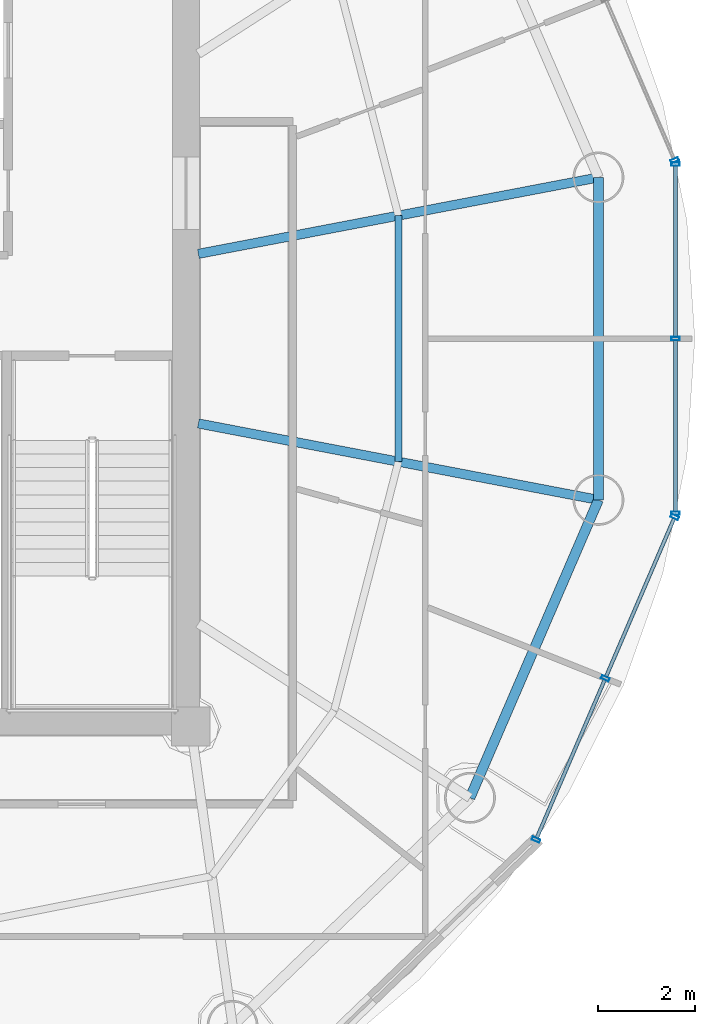
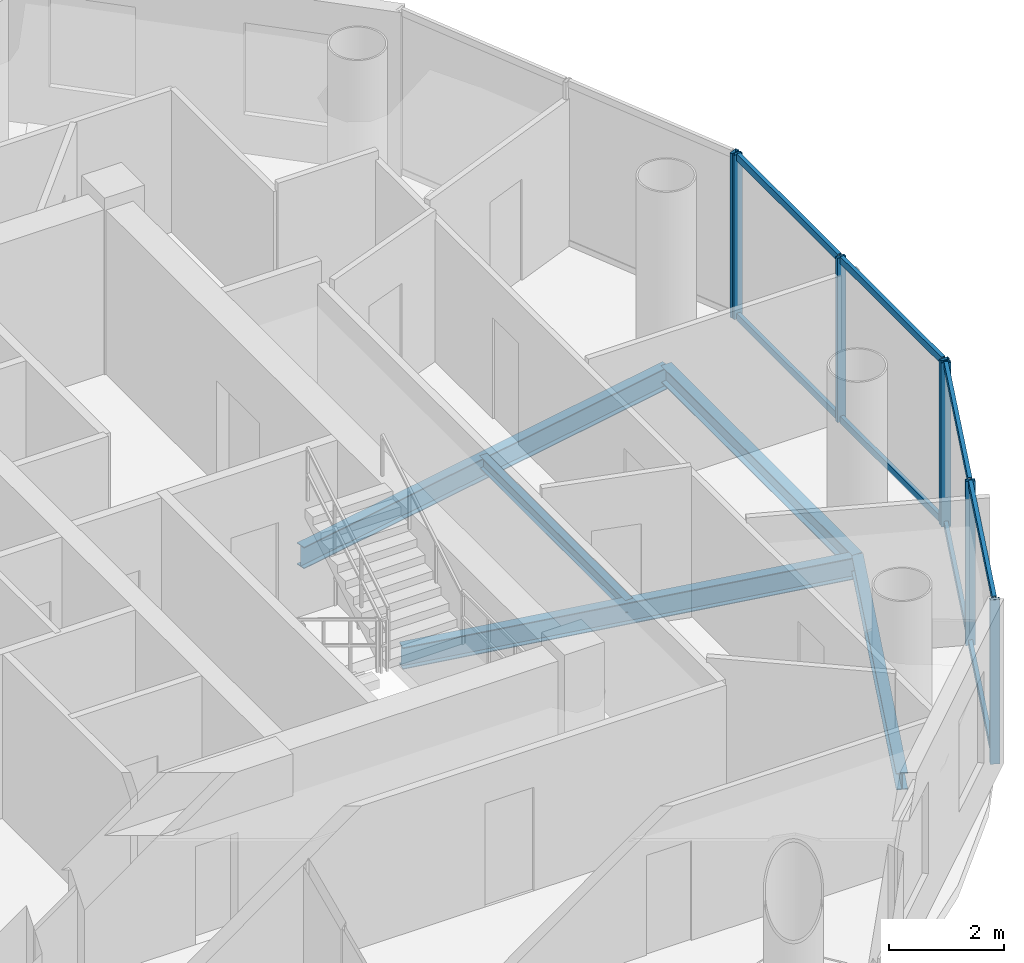
# One storey, part 9 of 21: 15 members, 5 beams, 3 elements without a shape of their own.
"""IFC4 building model written with IfcOpenShell, lengths in metres."""

import ifcopenshell
import ifcopenshell.guid

model = None  # the IFC model being written
_history = None  # IfcOwnerHistory: only IFC2X3 demands one
_inside = {}  # id of a spatial element -> (the spatial element, [elements in it])
_under = {}  # id of a project, library or spatial element -> (it, [spatial elements below it])
_declared = {}  # id of a project -> (the project, [libraries it declares])
_typed = {}  # id of a type object -> (the type object, [elements of that type])
_made_of = {}  # id of a material, layer set ... -> (it, [elements and type objects made of it])


def new_model(schema):
    """Start an empty IFC model of exactly this schema.

    Asked for "IFC4X3", IfcOpenShell would pick the latest addendum, in which some entities
    have other attributes; the version numbers below select the first issue.
    IFC2X3 requires an IfcOwnerHistory on every rooted entity: one is made here for all.
    """
    global model, _history
    if schema == "IFC4X3":
        model = ifcopenshell.file(schema_version=(4, 3, 0, 0))
    else:
        model = ifcopenshell.file(schema=schema)
    _inside.clear()
    _under.clear()
    _declared.clear()
    _typed.clear()
    _made_of.clear()
    _history = None
    if model.schema == "IFC2X3":
        org = make("IfcOrganization", Name="unknown")
        user = make(
            "IfcPersonAndOrganization",
            ThePerson=make("IfcPerson", FamilyName="unknown"),
            TheOrganization=org,
        )
        app = make(
            "IfcApplication",
            ApplicationDeveloper=org,
            Version="unknown",
            ApplicationFullName="unknown",
            ApplicationIdentifier="unknown",
        )
        _history = make(
            "IfcOwnerHistory",
            OwningUser=user,
            OwningApplication=app,
            ChangeAction="ADDED",
            CreationDate=0,
        )
    return model


def make(cls, **values):
    """One entity of the class cls with the attributes given. An attribute that is None is left unset."""
    return model.create_entity(
        cls, **{name: value for name, value in values.items() if value is not None}
    )


def rooted(cls, **values):
    """An entity with a GlobalId (a new one), such as an element, a storey or a relation."""
    return make(cls, GlobalId=ifcopenshell.guid.new(), OwnerHistory=_history, **values)


def si_unit(unit_type, name, prefix=None):
    """IfcSIUnit, for example si_unit("LENGTHUNIT", "METRE", prefix="MILLI")."""
    return make("IfcSIUnit", UnitType=unit_type, Prefix=prefix, Name=name)


def assignment(units):
    """IfcUnitAssignment: the units of a project."""
    return None if units is None else make("IfcUnitAssignment", Units=units)


def point(xyz):
    """IfcCartesianPoint."""
    return None if xyz is None else make("IfcCartesianPoint", Coordinates=xyz)


def direction(xyz):
    """IfcDirection."""
    return None if xyz is None else make("IfcDirection", DirectionRatios=xyz)


def frame(location, z_axis=None, x_axis=None):
    """IfcAxis2Placement3D, a coordinate frame: its origin and axes. An axis left out is left unset."""
    return make(
        "IfcAxis2Placement3D",
        Location=point(location),
        Axis=direction(z_axis),
        RefDirection=direction(x_axis),
    )


def frame_2d(location, x_axis=None):
    """IfcAxis2Placement2D, a coordinate frame in the plane: its origin and x axis."""
    return make(
        "IfcAxis2Placement2D", Location=point(location), RefDirection=direction(x_axis)
    )


def origin():
    """The frame at (0, 0, 0) with its axes left unset."""
    return frame((0.0, 0.0, 0.0))


def origin_2d():
    """The frame at (0, 0) in the plane with its x axis left unset."""
    return frame_2d((0.0, 0.0))


def place(relative_to, where):
    """IfcLocalPlacement: puts the frame where relative to a parent placement (None: the world)."""
    return make(
        "IfcLocalPlacement", PlacementRelTo=relative_to, RelativePlacement=where
    )


def context(
    kind, dimensions, precision=None, world=None, true_north=None, identifier=None
):
    """IfcGeometricRepresentationContext, for example the 3D "Model" context."""
    return make(
        "IfcGeometricRepresentationContext",
        ContextIdentifier=identifier,
        ContextType=kind,
        CoordinateSpaceDimension=dimensions,
        Precision=precision,
        WorldCoordinateSystem=world,
        TrueNorth=true_north,
    )


def subcontext(parent, identifier, kind, view, scale=None):
    """IfcGeometricRepresentationSubContext, for example "Body" below "Model"."""
    return make(
        "IfcGeometricRepresentationSubContext",
        ContextIdentifier=identifier,
        ContextType=kind,
        ParentContext=parent,
        TargetScale=scale,
        TargetView=view,
    )


def project(units=None, contexts=None):
    """IfcProject with its units and contexts."""
    return rooted(
        "IfcProject",
        Name="project",
        RepresentationContexts=contexts,
        UnitsInContext=assignment(units),
    )


def spatial(cls, under=None, at=None, **own):
    """A site, building, storey or space (cls), placed at a placement, below another one or the project."""
    s = rooted(cls, ObjectPlacement=at, **own)
    if under is not None:
        _under.setdefault(under.id(), (under, []))[1].append(s)
    return s


def profile(cls, at=None, kind="AREA", **sizes):
    """A parametric profile (cls). Its sizes go by their IFC names, for example OverallWidth=200.0."""
    return make(cls, ProfileType=kind, Position=at, **sizes)


def hollow_rectangle(**sizes):
    """IfcRectangleHollowProfileDef."""
    return profile("IfcRectangleHollowProfileDef", **sizes)


def i_section(**sizes):
    """IfcIShapeProfileDef."""
    return profile("IfcIShapeProfileDef", **sizes)


def extrude(swept, where, along, depth):
    """IfcExtrudedAreaSolid: the profile swept, set in the frame where, extruded along a direction by depth."""
    return make(
        "IfcExtrudedAreaSolid",
        SweptArea=swept,
        Position=where,
        ExtrudedDirection=direction(along),
        Depth=depth,
    )


def shape(context_of_items, identifier, shape_type, items):
    """IfcShapeRepresentation: the items that make up one representation, for example the "Body"."""
    return make(
        "IfcShapeRepresentation",
        ContextOfItems=context_of_items,
        RepresentationIdentifier=identifier,
        RepresentationType=shape_type,
        Items=items,
    )


def source(mapping_origin, context_of_items, identifier, shape_type, items):
    """IfcRepresentationMap: a shape defined once, which mapped items show again and again."""
    return make(
        "IfcRepresentationMap",
        MappingOrigin=mapping_origin,
        MappedRepresentation=shape(context_of_items, identifier, shape_type, items),
    )


def transform(
    local_origin,
    x_axis=None,
    y_axis=None,
    z_axis=None,
    scale=None,
    scale2=None,
    scale3=None,
    uniform=True,
):
    """IfcCartesianTransformationOperator3D, or its non-uniform kind. x_axis, y_axis, z_axis: its Axis1, 2, 3."""
    if uniform:
        return make(
            "IfcCartesianTransformationOperator3D",
            Axis1=direction(x_axis),
            Axis2=direction(y_axis),
            LocalOrigin=point(local_origin),
            Scale=scale,
            Axis3=direction(z_axis),
        )
    return make(
        "IfcCartesianTransformationOperator3DnonUniform",
        Axis1=direction(x_axis),
        Axis2=direction(y_axis),
        LocalOrigin=point(local_origin),
        Scale=scale,
        Axis3=direction(z_axis),
        Scale2=scale2,
        Scale3=scale3,
    )


def mapped(mapping_source, mapping_target):
    """IfcMappedItem: shows the shape of a source again, moved by a transform."""
    return make(
        "IfcMappedItem", MappingSource=mapping_source, MappingTarget=mapping_target
    )


def material(Name=None, Category=None):
    """IfcMaterial."""
    return make("IfcMaterial", Name=Name, Category=Category)


def material_profile(
    of_material, cross_section, Name=None, Category=None, Priority=None
):
    """IfcMaterialProfile: a cross section and its material."""
    return make(
        "IfcMaterialProfile",
        Name=Name,
        Material=of_material,
        Profile=cross_section,
        Priority=Priority,
        Category=Category,
    )


def profile_set(profiles, Name=None, composite=None):
    """IfcMaterialProfileSet."""
    return make(
        "IfcMaterialProfileSet",
        Name=Name,
        MaterialProfiles=profiles,
        CompositeProfile=composite,
    )


def made_of(thing, what):
    """Note that an element or type object is made of a material, layer set ...; save() writes the relation."""
    if what is not None:
        _made_of.setdefault(what.id(), (what, []))[1].append(thing)
    return thing


def type_object(cls, material=None, **own):
    """A type object (cls), such as IfcWallType, which elements share."""
    return made_of(rooted(cls, **own), material)


def element(
    cls,
    number,
    at=None,
    inside=None,
    cuts=None,
    type_object=None,
    material=None,
    context=None,
    identifier="Body",
    shape_type=None,
    held_by="IfcProductDefinitionShape",
    body=None,
    shapes=None,
    **own,
):
    """One element of the class cls, such as IfcWall. Its Tag is "e" and its number.

    at: its placement. inside: the storey or other place that contains it. cuts: it is an
    opening in that element (IfcRelVoidsElement). A single representation is given by context,
    identifier, shape_type and body (its items); several are given by shapes. held_by: the class
    of the entity that holds the representations. save() writes the other relations.
    """
    e = rooted(cls, Tag="e%d" % number, ObjectPlacement=at, **own)
    if body is not None:
        shapes = [shape(context, identifier, shape_type, body)]
    if shapes is not None:
        e.Representation = make(held_by, Representations=shapes)
    if inside is not None:
        _inside.setdefault(inside.id(), (inside, []))[1].append(e)
    if cuts is not None:
        rooted(
            "IfcRelVoidsElement", RelatingBuildingElement=cuts, RelatedOpeningElement=e
        )
    if type_object is not None:
        _typed.setdefault(type_object.id(), (type_object, []))[1].append(e)
    return made_of(e, material)


def aggregate(whole, parts):
    """IfcRelAggregates: a whole, such as a stair, and the parts it consists of."""
    return rooted("IfcRelAggregates", RelatingObject=whole, RelatedObjects=parts)


def save(model, path):
    """Write the relations noted so far, then the file.

    IfcRelAggregates (storeys below a building ...), IfcRelContainedInSpatialStructure (elements
    in a storey), IfcRelDefinesByType, IfcRelAssociatesMaterial and IfcRelDeclares: one each for
    every whole, place, type object, material and project.
    """
    for whole, parts in _under.values():
        aggregate(whole, parts)
    for where, things in _inside.values():
        rooted(
            "IfcRelContainedInSpatialStructure",
            RelatedElements=things,
            RelatingStructure=where,
        )
    for kind, things in _typed.values():
        rooted("IfcRelDefinesByType", RelatedObjects=things, RelatingType=kind)
    for what, things in _made_of.values():
        rooted("IfcRelAssociatesMaterial", RelatedObjects=things, RelatingMaterial=what)
    for by, libraries in _declared.values():
        rooted("IfcRelDeclares", RelatingContext=by, RelatedDefinitions=libraries)
    model.write(path)


model = new_model("IFC4")

# Units and contexts
model_context = context("Model", 3, precision=1e-05, world=origin(), true_north=direction((-0.2419218956, 0.970295726276)))
body_context = subcontext(model_context, "Body", "Model", "MODEL_VIEW")
ifc_project = project(units=[si_unit("LENGTHUNIT", "METRE"), si_unit("AREAUNIT", "SQUARE_METRE"), si_unit("VOLUMEUNIT", "CUBIC_METRE"), si_unit("PLANEANGLEUNIT", "RADIAN"), si_unit("MASSUNIT", "GRAM", prefix="KILO")], contexts=[model_context])

# Site, building, storey
site_placement = place(None, origin())
site = spatial("IfcSite", under=ifc_project, at=site_placement, CompositionType="ELEMENT")
building_placement = place(site_placement, origin())
building = spatial("IfcBuilding", under=site, at=building_placement, Name="Cobrevalo Terracotta Tower", CompositionType="ELEMENT")
storey_placement = place(building_placement, frame((0.0, 0.0, 285.699951171875)))
storey = spatial("IfcBuildingStorey", under=building, at=storey_placement, Name="L75", CompositionType="ELEMENT", Elevation=285.699951171875)

# Beams
ifc_material_1 = material(Name="Steel S355", Category="steel")
ifc_material_profile_1 = material_profile(ifc_material_1, i_section(OverallWidth=0.19091796875, OverallDepth=0.4599609375, WebThickness=0.010009765625, FlangeThickness=0.01611328125, at=origin_2d()), Name="W 460x82")
ifc_profile_set_1 = profile_set([ifc_material_profile_1], Name="Steel S355")
beam_type_1 = type_object("IfcBeamType", Name="Structural Beam W 460x82 (Steel S355)", PredefinedType="BEAM", material=ifc_profile_set_1)
beam_1_placement = place(storey_placement, frame((55.408935546875, 30.126220703125, -0.489990234375), z_axis=(-0.982234917636, -0.187655446433, 0.0), x_axis=(0.187655446433, -0.982234917636, 0.0)))
element("IfcBeam", 1, at=beam_1_placement, inside=storey, type_object=beam_type_1, Name="L75 radial floor girder 01", PredefinedType="BEAM", context=body_context, shape_type="SweptSolid", body=[
    extrude(i_section(OverallWidth=0.19091796875, OverallDepth=0.4599609375, WebThickness=0.010009765625, FlangeThickness=0.01611328125, at=origin_2d()), origin(), (0.0, 0.0, 1.0), 8.403076171875),
])
beam_2_placement = place(storey_placement, frame((55.408935546875, 23.4736328125, -0.489990234375), z_axis=(-0.982229562106, 0.187683476432, 0.0), x_axis=(-0.187683476432, -0.982229562106, 0.0)))
element("IfcBeam", 2, at=beam_2_placement, inside=storey, type_object=beam_type_1, Name="L75 radial floor girder 16", PredefinedType="BEAM", context=body_context, shape_type="SweptSolid", body=[
    extrude(i_section(OverallWidth=0.19091796875, OverallDepth=0.4599609375, WebThickness=0.010009765625, FlangeThickness=0.01611328125, at=origin_2d()), origin(), (0.0, 0.0, 1.0), 8.4033203125),
])
ifc_material_profile_2 = material_profile(ifc_material_1, i_section(OverallWidth=0.14794921875, OverallDepth=0.26611328125, WebThickness=0.007568359375, FlangeThickness=0.012939453125, at=origin_2d()), Name="W 250x44.8")
ifc_profile_set_2 = profile_set([ifc_material_profile_2], Name="Steel S355")
beam_type_2 = type_object("IfcBeamType", Name="Structural Joist W 250x44.8 (Steel S355)", PredefinedType="JOIST", material=ifc_profile_set_2)
beam_3_placement = place(storey_placement, frame((51.281982421875, 24.26220703125, -0.39306640625), z_axis=(0.0, 1.0, 0.0), x_axis=(-1.0, 0.0, 0.0)))
element("IfcBeam", 3, at=beam_3_placement, inside=storey, type_object=beam_type_2, Name="L75 circumferential secondary floor joist 16", PredefinedType="JOIST", context=body_context, shape_type="SweptSolid", body=[
    extrude(i_section(OverallWidth=0.14794921875, OverallDepth=0.26611328125, WebThickness=0.007568359375, FlangeThickness=0.012939453125, at=origin_2d()), origin(), (0.0, 0.0, 1.0), 5.075439453125),
])
ifc_material_profile_3 = material_profile(ifc_material_1, i_section(OverallWidth=0.205078125, OverallDepth=0.35400390625, WebThickness=0.009521484375, FlangeThickness=0.016845703125, at=origin_2d()), Name="W 360x79")
ifc_profile_set_3 = profile_set([ifc_material_profile_3], Name="Steel S355")
beam_type_3 = type_object("IfcBeamType", Name="Structural Spandrel W 360x79 (Steel S355)", PredefinedType="SPANDREL", material=ifc_profile_set_3)
beam_4_placement = place(storey_placement, frame((52.758544921875, 17.32763671875, -0.43701171875), z_axis=(0.395987390706, 0.918255948198, 0.0), x_axis=(-0.918255948198, 0.395987390706, 0.0)))
element("IfcBeam", 4, at=beam_4_placement, inside=storey, type_object=beam_type_3, Name="L75 perimeter ring spandrel 15", PredefinedType="SPANDREL", context=body_context, shape_type="SweptSolid", body=[
    extrude(i_section(OverallWidth=0.205078125, OverallDepth=0.35400390625, WebThickness=0.009521484375, FlangeThickness=0.016845703125, at=origin_2d()), origin(), (0.0, 0.0, 1.0), 6.693115234375),
])
beam_5_placement = place(storey_placement, frame((55.408935546875, 23.4736328125, -0.43701171875), z_axis=(0.0, 1.0, 0.0), x_axis=(-1.0, 0.0, 0.0)))
element("IfcBeam", 5, at=beam_5_placement, inside=storey, type_object=beam_type_3, Name="L75 perimeter ring spandrel 16", PredefinedType="SPANDREL", context=body_context, shape_type="SweptSolid", body=[
    extrude(i_section(OverallWidth=0.205078125, OverallDepth=0.35400390625, WebThickness=0.009521484375, FlangeThickness=0.016845703125, at=origin_2d()), origin(), (0.0, 0.0, 1.0), 6.652587890625),
])

# Curtain wall, member
ifc_material_2 = material(Name="Anodized aluminium", Category="aluminium")
curtain_wall_type = type_object("IfcCurtainWallType", Name="Upper-tower triple-glazed penthouse curtain wall CW-U3", PredefinedType="NOTDEFINED", material=ifc_material_2)
curtain_wall_1_placement = place(storey_placement, origin())
curtain_wall_1 = element("IfcCurtainWall", 6, at=curtain_wall_1_placement, inside=storey, type_object=curtain_wall_type, Name="L75 curtain wall CW-L75-S01", PredefinedType="NOTDEFINED")
ifc_material_profile_4 = material_profile(ifc_material_2, hollow_rectangle(XDim=0.070068359375, YDim=0.169921875, WallThickness=0.00439453125, at=origin_2d()), Name="CWM 70x170")
ifc_profile_set_4 = profile_set([ifc_material_profile_4], Name="Anodized aluminium")
member_type_1 = type_object("IfcMemberType", Name="Upper tower unitised mullion 70x170", PredefinedType="MULLION", material=ifc_profile_set_4)
shared_shape_1 = source(origin(), body_context, "Body", "SweptSolid", [
    extrude(hollow_rectangle(XDim=0.070068359375, YDim=0.169921875, WallThickness=0.00439453125, at=origin_2d()), origin(), (0.0, 0.0, 1.0), 3.489990234375),
])
member_1_placement = place(storey_placement, frame((56.98193359375, 30.47900390625, 0.0), z_axis=(0.0, 0.0, 1.0), x_axis=(-0.39482403454, 0.91875675875, 0.0)))
member_1 = element("IfcMember", 7, at=member_1_placement, type_object=member_type_1, Name="CW-L75-S01 vertical mullion 01", PredefinedType="MULLION", context=body_context, shape_type="MappedRepresentation", body=[
    mapped(shared_shape_1, transform((0.0, 0.0, 0.0), scale=1.0)),
])
aggregate(curtain_wall_1, [member_1])

# Curtain wall, members
curtain_wall_2_placement = place(storey_placement, origin())
curtain_wall_2 = element("IfcCurtainWall", 8, at=curtain_wall_2_placement, inside=storey, type_object=curtain_wall_type, Name="L75 curtain wall CW-L75-S15", PredefinedType="NOTDEFINED")
member_2_placement = place(storey_placement, frame((54.121337890625, 16.46435546875, 0.0), z_axis=(0.0, 0.0, 1.0), x_axis=(0.39482403454, 0.91875675875, 0.0)))
member_2 = element("IfcMember", 9, at=member_2_placement, type_object=member_type_1, Name="CW-L75-S15 vertical mullion 01", PredefinedType="MULLION", context=body_context, shape_type="MappedRepresentation", body=[
    mapped(shared_shape_1, transform((0.0, 0.0, 0.0), scale=1.0)),
])
member_3_placement = place(storey_placement, frame((55.5517578125, 19.79248046875, 0.0), z_axis=(0.0, 0.0, 1.0), x_axis=(0.39482403454, 0.91875675875, 0.0)))
member_3 = element("IfcMember", 10, at=member_3_placement, type_object=member_type_1, Name="CW-L75-S15 vertical mullion 02", PredefinedType="MULLION", context=body_context, shape_type="MappedRepresentation", body=[
    mapped(shared_shape_1, transform((0.0, 0.0, 0.0), scale=1.0)),
])
member_4_placement = place(storey_placement, frame((56.98193359375, 23.120849609375, 0.0), z_axis=(0.0, 0.0, 1.0), x_axis=(0.39482403454, 0.91875675875, 0.0)))
member_4 = element("IfcMember", 11, at=member_4_placement, type_object=member_type_1, Name="CW-L75-S15 vertical mullion 03", PredefinedType="MULLION", context=body_context, shape_type="MappedRepresentation", body=[
    mapped(shared_shape_1, transform((0.0, 0.0, 0.0), scale=1.0)),
])

curtain_wall_3_placement = place(storey_placement, origin())
curtain_wall_3 = element("IfcCurtainWall", 12, at=curtain_wall_3_placement, inside=storey, type_object=curtain_wall_type, Name="L75 curtain wall CW-L75-S16", PredefinedType="NOTDEFINED")
member_5_placement = place(storey_placement, frame((56.997802734375, 23.19775390625, 0.0), z_axis=(0.0, 0.0, 1.0), x_axis=(0.0, 1.0, 0.0)))
member_5 = element("IfcMember", 13, at=member_5_placement, type_object=member_type_1, Name="CW-L75-S16 vertical mullion 01", PredefinedType="MULLION", context=body_context, shape_type="MappedRepresentation", body=[
    mapped(shared_shape_1, transform((0.0, 0.0, 0.0), scale=1.0)),
])
member_6_placement = place(storey_placement, frame((56.997802734375, 26.800048828125, 0.0), z_axis=(0.0, 0.0, 1.0), x_axis=(0.0, 1.0, 0.0)))
member_6 = element("IfcMember", 14, at=member_6_placement, type_object=member_type_1, Name="CW-L75-S16 vertical mullion 02", PredefinedType="MULLION", context=body_context, shape_type="MappedRepresentation", body=[
    mapped(shared_shape_1, transform((0.0, 0.0, 0.0), scale=1.0)),
])
member_7_placement = place(storey_placement, frame((56.997802734375, 30.40234375, 0.0), z_axis=(0.0, 0.0, 1.0), x_axis=(0.0, 1.0, 0.0)))
member_7 = element("IfcMember", 15, at=member_7_placement, type_object=member_type_1, Name="CW-L75-S16 vertical mullion 03", PredefinedType="MULLION", context=body_context, shape_type="MappedRepresentation", body=[
    mapped(shared_shape_1, transform((0.0, 0.0, 0.0), scale=1.0)),
])

# Member
ifc_material_profile_5 = material_profile(ifc_material_2, hollow_rectangle(XDim=0.074951171875, YDim=0.14990234375, WallThickness=0.00439453125, at=origin_2d()), Name="CWT 75x150")
ifc_profile_set_5 = profile_set([ifc_material_profile_5], Name="Anodized aluminium")
member_type_2 = type_object("IfcMemberType", Name="Tower unitised aluminium transom 75x150", PredefinedType="USERDEFINED", material=ifc_profile_set_5)
shared_shape_2 = source(origin(), body_context, "Body", "SweptSolid", [
    extrude(hollow_rectangle(XDim=0.074951171875, YDim=0.14990234375, WallThickness=0.00439453125, at=origin_2d()), origin(), (0.0, 0.0, 1.0), 3.542724609375),
])
member_8_placement = place(storey_placement, frame((54.13720703125, 16.5009765625, 0.050048828125), z_axis=(0.394809056766, 0.918763195114, 0.0), x_axis=(-0.918763195114, 0.394809056766, 0.0)))
member_8 = element("IfcMember", 16, at=member_8_placement, type_object=member_type_2, Name="CW-L75-S15 transom B01-T1", ObjectType="TRANSOM", PredefinedType="USERDEFINED", context=body_context, shape_type="MappedRepresentation", body=[
    mapped(shared_shape_2, transform((0.0, 0.0, 0.0), scale=1.0)),
])

member_9_placement = place(storey_placement, frame((54.13720703125, 16.5009765625, 3.43994140625), z_axis=(0.394809056766, 0.918763195114, 0.0), x_axis=(-0.918763195114, 0.394809056766, 0.0)))
member_9 = element("IfcMember", 17, at=member_9_placement, type_object=member_type_2, Name="CW-L75-S15 transom B01-T2", ObjectType="TRANSOM", PredefinedType="USERDEFINED", context=body_context, shape_type="MappedRepresentation", body=[
    mapped(shared_shape_2, transform((0.0, 0.0, 0.0), scale=1.0)),
])

member_10_placement = place(storey_placement, frame((55.5673828125, 19.829345703125, 0.050048828125), z_axis=(0.394867226589, 0.918738196314, 0.0), x_axis=(-0.918738196314, 0.394867226589, 0.0)))
member_10 = element("IfcMember", 18, at=member_10_placement, type_object=member_type_2, Name="CW-L75-S15 transom B02-T1", ObjectType="TRANSOM", PredefinedType="USERDEFINED", context=body_context, shape_type="MappedRepresentation", body=[
    mapped(shared_shape_2, transform((0.0, 0.0, 0.0), scale=1.0)),
])

member_11_placement = place(storey_placement, frame((55.5673828125, 19.829345703125, 3.43994140625), z_axis=(0.394867226589, 0.918738196314, 0.0), x_axis=(-0.918738196314, 0.394867226589, 0.0)))
member_11 = element("IfcMember", 19, at=member_11_placement, type_object=member_type_2, Name="CW-L75-S15 transom B02-T2", ObjectType="TRANSOM", PredefinedType="USERDEFINED", context=body_context, shape_type="MappedRepresentation", body=[
    mapped(shared_shape_2, transform((0.0, 0.0, 0.0), scale=1.0)),
])

aggregate(curtain_wall_2, [member_2, member_3, member_4, member_8, member_9, member_10, member_11])

shared_shape_3 = source(origin(), body_context, "Body", "SweptSolid", [
    extrude(hollow_rectangle(XDim=0.074951171875, YDim=0.14990234375, WallThickness=0.00439453125, at=origin_2d()), origin(), (0.0, 0.0, 1.0), 3.522216796875),
])
member_12_placement = place(storey_placement, frame((56.997802734375, 26.840087890625, 0.050048828125), z_axis=(0.0, 1.0, 0.0), x_axis=(-1.0, 0.0, 0.0)))
member_12 = element("IfcMember", 20, at=member_12_placement, type_object=member_type_2, Name="CW-L75-S16 transom B02-T1", ObjectType="TRANSOM", PredefinedType="USERDEFINED", context=body_context, shape_type="MappedRepresentation", body=[
    mapped(shared_shape_3, transform((0.0, 0.0, 0.0), scale=1.0)),
])

member_13_placement = place(storey_placement, frame((56.997802734375, 26.840087890625, 3.43994140625), z_axis=(0.0, 1.0, 0.0), x_axis=(-1.0, 0.0, 0.0)))
member_13 = element("IfcMember", 21, at=member_13_placement, type_object=member_type_2, Name="CW-L75-S16 transom B02-T2", ObjectType="TRANSOM", PredefinedType="USERDEFINED", context=body_context, shape_type="MappedRepresentation", body=[
    mapped(shared_shape_3, transform((0.0, 0.0, 0.0), scale=1.0)),
])

shared_shape_4 = source(origin(), body_context, "Body", "SweptSolid", [
    extrude(hollow_rectangle(XDim=0.074951171875, YDim=0.14990234375, WallThickness=0.00439453125, at=origin_2d()), origin(), (0.0, 0.0, 1.0), 3.5224609375),
])
member_14_placement = place(storey_placement, frame((56.997802734375, 23.237548828125, 0.050048828125), z_axis=(0.0, 1.0, 0.0), x_axis=(-1.0, 0.0, 0.0)))
member_14 = element("IfcMember", 22, at=member_14_placement, type_object=member_type_2, Name="CW-L75-S16 transom B01-T1", ObjectType="TRANSOM", PredefinedType="USERDEFINED", context=body_context, shape_type="MappedRepresentation", body=[
    mapped(shared_shape_4, transform((0.0, 0.0, 0.0), scale=1.0)),
])

member_15_placement = place(storey_placement, frame((56.997802734375, 23.237548828125, 3.43994140625), z_axis=(0.0, 1.0, 0.0), x_axis=(-1.0, 0.0, 0.0)))
member_15 = element("IfcMember", 23, at=member_15_placement, type_object=member_type_2, Name="CW-L75-S16 transom B01-T2", ObjectType="TRANSOM", PredefinedType="USERDEFINED", context=body_context, shape_type="MappedRepresentation", body=[
    mapped(shared_shape_4, transform((0.0, 0.0, 0.0), scale=1.0)),
])

aggregate(curtain_wall_3, [member_5, member_6, member_7, member_14, member_15, member_12, member_13])

save(model, "model.ifc")
